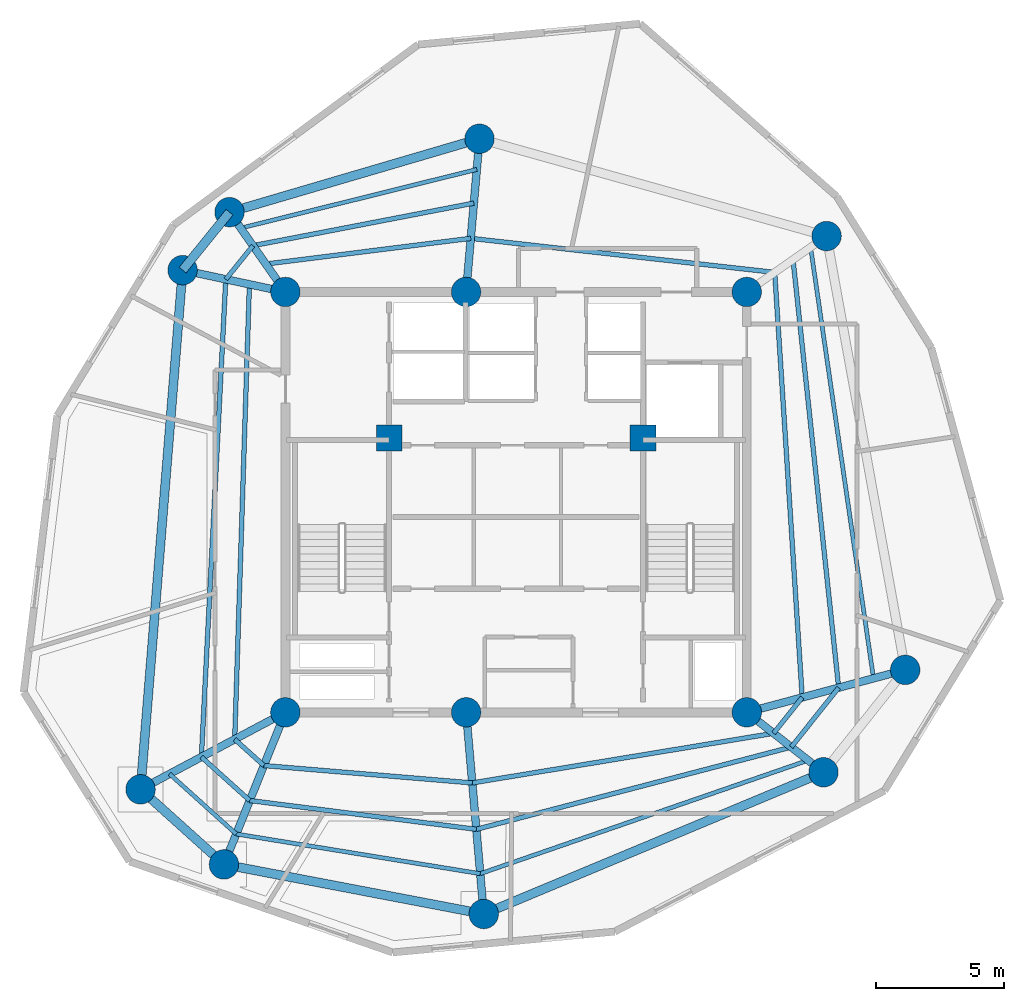
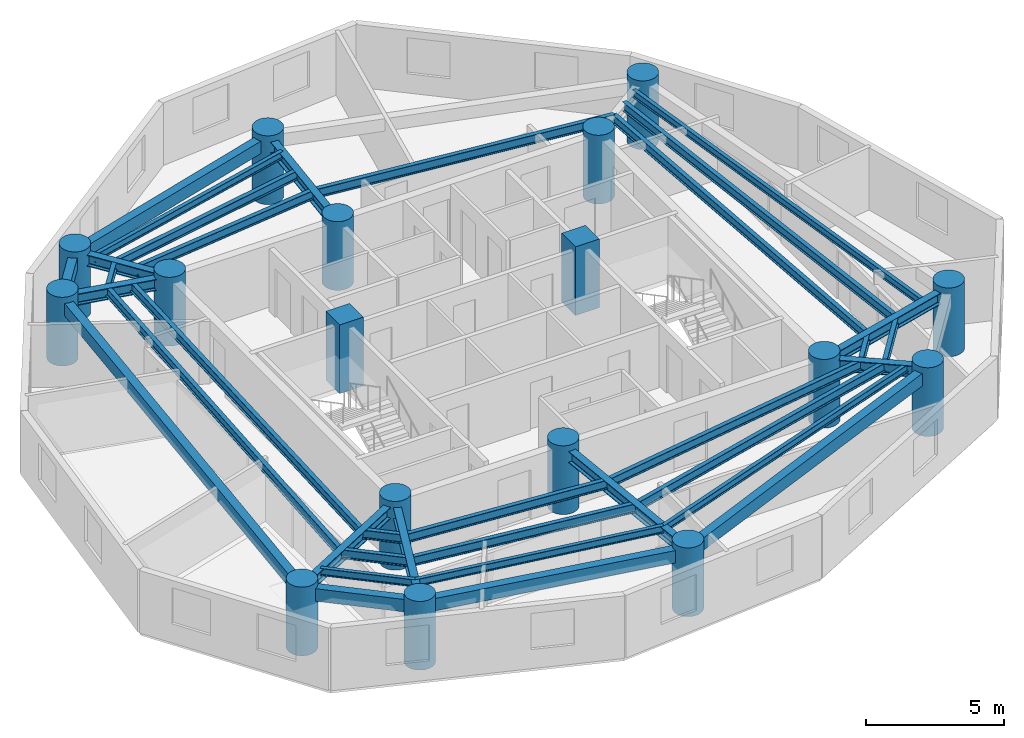
# One storey, part 1 of 6: 35 beams, 17 columns.
"""IFC4 building model written with IfcOpenShell, lengths in metres."""

from ifc_helpers import new_model, si_unit, direction, frame, origin, origin_with_axes, origin_2d, place, context, subcontext, project, spatial, rectangle, circle, i_section, extrude, source, transform, mapped, material, material_profile, profile_set, type_object, element, save


model = new_model("IFC4")

# Units and contexts
model_context = context("Model", 3, precision=1e-05, world=origin(), true_north=direction((0.0, 1.0)))
body_context = subcontext(model_context, "Body", "Model", "MODEL_VIEW")
ifc_project = project(units=[si_unit("LENGTHUNIT", "METRE"), si_unit("AREAUNIT", "SQUARE_METRE"), si_unit("VOLUMEUNIT", "CUBIC_METRE"), si_unit("PLANEANGLEUNIT", "RADIAN"), si_unit("MASSUNIT", "GRAM", prefix="KILO")], contexts=[model_context])

# Site, building, storey
site_placement = place(None, origin())
site = spatial("IfcSite", under=ifc_project, at=site_placement, CompositionType="ELEMENT")
building_placement = place(site_placement, origin())
building = spatial("IfcBuilding", under=site, at=building_placement, Name="Karkom Vertical University and Central Library", CompositionType="ELEMENT")
storey_placement = place(building_placement, frame((0.0, 0.0, 265.699951171875)))
storey = spatial("IfcBuildingStorey", under=building, at=storey_placement, Name="L79", CompositionType="ELEMENT", Elevation=265.699951171875)

# Columns
ifc_material_1 = material(Name="Concrete C50/60", Category="concrete")
ifc_material_profile_1 = material_profile(ifc_material_1, rectangle(XDim=1.0, YDim=1.0, at=origin_2d()), Name="RC-1000x1000")
ifc_profile_set_1 = profile_set([ifc_material_profile_1], Name="Concrete C50/60")
column_type_1 = type_object("IfcColumnType", Name="STR-COL-C-CC2", PredefinedType="COLUMN", material=ifc_profile_set_1)
shared_shape_1 = source(origin_with_axes(), body_context, "Body", "SweptSolid", [
    extrude(rectangle(XDim=1.0, YDim=1.0, at=origin_2d()), origin(), (0.0, 0.0, 1.0), 3.050048828125),
])
for number, where, z_axis, x_axis, name in (
    (1, (23.550048828125, 29.0, 0.0), (0.0, 0.0, 1.0), (1.0, 0.0, 0.0), "Level 79 Core Node Column CC-1"),
    (2, (33.449951171875, 29.0, 0.0), (0.0, 0.0, 1.0), (1.0, 0.0, 0.0), "Level 79 Core Node Column CC-2"),
):
    element("IfcColumn", number, at=place(storey_placement, frame(where, z_axis=z_axis, x_axis=x_axis)), inside=storey, type_object=column_type_1, Name=name, PredefinedType="COLUMN", context=body_context, shape_type="MappedRepresentation", body=[
        mapped(shared_shape_1, transform((0.0, 0.0, 0.0), scale=1.0)),
    ])
ifc_material_2 = material(Name="Concrete C45/55", Category="concrete")
ifc_material_profile_2 = material_profile(ifc_material_2, circle(Radius=0.574951171875, at=origin_2d()), Name="CFT-D1150")
ifc_profile_set_2 = profile_set([ifc_material_profile_2], Name="Concrete C45/55")
column_type_2 = type_object("IfcColumnType", Name="STR-COL-C-SC5", PredefinedType="COLUMN", material=ifc_profile_set_2)
shared_shape_2 = source(origin_with_axes(), body_context, "Body", "SweptSolid", [
    extrude(circle(Radius=0.574951171875, at=origin_2d()), origin(), (0.0, 0.0, 1.0), 3.050048828125),
])
for number, where, z_axis, x_axis, name in (
    (3, (19.5, 18.300048828125, 0.0), (0.0, 0.0, 1.0), (1.0, 0.0, 0.0), "Level 79 Spine Mega-Column SC-1"),
    (4, (26.550048828125, 18.300048828125, 0.0), (0.0, 0.0, 1.0), (1.0, 0.0, 0.0), "Level 79 Spine Mega-Column SC-2"),
    (5, (37.5, 18.300048828125, 0.0), (0.0, 0.0, 1.0), (1.0, 0.0, 0.0), "Level 79 Spine Mega-Column SC-3"),
    (6, (19.5, 34.699951171875, 0.0), (0.0, 0.0, 1.0), (1.0, 0.0, 0.0), "Level 79 Spine Mega-Column SC-4"),
    (7, (26.550048828125, 34.699951171875, 0.0), (0.0, 0.0, 1.0), (1.0, 0.0, 0.0), "Level 79 Spine Mega-Column SC-5"),
    (8, (37.5, 34.699951171875, 0.0), (0.0, 0.0, 1.0), (1.0, 0.0, 0.0), "Level 79 Spine Mega-Column SC-6"),
    (9, (43.681884765625, 19.9560546875, 0.0), (0.0, 0.0, 1.0), (1.0, 0.0, 0.0), "Level 79 Perimeter Mega-Column Z4-PC1"),
    (10, (40.613037109375, 36.8798828125, 0.0), (0.0, 0.0, 1.0), (1.0, 0.0, 0.0), "Level 79 Perimeter Mega-Column Z4-PC2"),
    (11, (27.072998046875, 40.677001953125, 0.0), (0.0, 0.0, 1.0), (1.0, 0.0, 0.0), "Level 79 Perimeter Mega-Column Z4-PC3"),
    (12, (17.320068359375, 37.81298828125, 0.0), (0.0, 0.0, 1.0), (1.0, 0.0, 0.0), "Level 79 Perimeter Mega-Column Z4-PC4"),
    (13, (15.489990234375, 35.552001953125, 0.0), (0.0, 0.0, 1.0), (1.0, 0.0, 0.0), "Level 79 Perimeter Mega-Column Z4-PC5"),
    (14, (13.84912109375, 15.294921875, 0.0), (0.0, 0.0, 1.0), (1.0, 0.0, 0.0), "Level 79 Perimeter Mega-Column Z4-PC6"),
    (15, (17.10302734375, 12.365966796875, 0.0), (0.0, 0.0, 1.0), (1.0, 0.0, 0.0), "Level 79 Perimeter Mega-Column Z4-PC7"),
    (16, (27.239013671875, 10.429931640625, 0.0), (0.0, 0.0, 1.0), (1.0, 0.0, 0.0), "Level 79 Perimeter Mega-Column Z4-PC8"),
    (17, (40.493896484375, 15.9599609375, 0.0), (0.0, 0.0, 1.0), (1.0, 0.0, 0.0), "Level 79 Perimeter Mega-Column Z4-PC9"),
):
    element("IfcColumn", number, at=place(storey_placement, frame(where, z_axis=z_axis, x_axis=x_axis)), inside=storey, type_object=column_type_2, Name=name, PredefinedType="COLUMN", context=body_context, shape_type="MappedRepresentation", body=[
        mapped(shared_shape_2, transform((0.0, 0.0, 0.0), scale=1.0)),
    ])

# Beams
ifc_material_3 = material(Name="Precast concrete C45/55", Category="concrete")
ifc_material_profile_3 = material_profile(ifc_material_3, rectangle(XDim=0.35009765625, YDim=0.550048828125, at=origin_2d()), Name="SPB-350x550")
ifc_profile_set_3 = profile_set([ifc_material_profile_3], Name="Precast concrete C45/55")
beam_type_1 = type_object("IfcBeamType", Name="STR-BM-SP-2", PredefinedType="SPANDREL", material=ifc_profile_set_3)
shared_shape_3 = source(origin_with_axes(), body_context, "Body", "SweptSolid", [
    extrude(rectangle(XDim=0.35009765625, YDim=0.550048828125, at=origin_2d()), origin(), (0.0, 0.0, 1.0), 10.164794921875),
])
beam_1_placement = place(storey_placement, frame((27.072998046875, 40.677001953125, 2.5), z_axis=(-0.959485124536, -0.281759286971, 0.0), x_axis=(0.281759286971, -0.959485124536, 0.0)))
element("IfcBeam", 18, at=beam_1_placement, inside=storey, type_object=beam_type_1, Name="Level 79 Perimeter Spandrel Beam 03", PredefinedType="SPANDREL", context=body_context, shape_type="MappedRepresentation", body=[
    mapped(shared_shape_3, transform((0.0, 0.0, 0.0), scale=1.0)),
])
shared_shape_4 = source(origin_with_axes(), body_context, "Body", "SweptSolid", [
    extrude(rectangle(XDim=0.35009765625, YDim=0.550048828125, at=origin_2d()), origin(), (0.0, 0.0, 1.0), 2.908935546875),
])
beam_2_placement = place(storey_placement, frame((17.320068359375, 37.81298828125, 2.5), z_axis=(-0.629147523747, -0.777285914811, 0.0), x_axis=(0.777285914811, -0.629147523747, 0.0)))
element("IfcBeam", 19, at=beam_2_placement, inside=storey, type_object=beam_type_1, Name="Level 79 Perimeter Spandrel Beam 04", PredefinedType="SPANDREL", context=body_context, shape_type="MappedRepresentation", body=[
    mapped(shared_shape_4, transform((0.0, 0.0, 0.0), scale=1.0)),
])
shared_shape_5 = source(origin_with_axes(), body_context, "Body", "SweptSolid", [
    extrude(rectangle(XDim=0.35009765625, YDim=0.550048828125, at=origin_2d()), origin(), (0.0, 0.0, 1.0), 20.323486328125),
])
beam_3_placement = place(storey_placement, frame((15.489990234375, 35.552001953125, 2.5), z_axis=(-0.080737811681, -0.996735373991, 0.0), x_axis=(0.996735373991, -0.080737811681, 0.0)))
element("IfcBeam", 20, at=beam_3_placement, inside=storey, type_object=beam_type_1, Name="Level 79 Perimeter Spandrel Beam 05", PredefinedType="SPANDREL", context=body_context, shape_type="MappedRepresentation", body=[
    mapped(shared_shape_5, transform((0.0, 0.0, 0.0), scale=1.0)),
])
shared_shape_6 = source(origin_with_axes(), body_context, "Body", "SweptSolid", [
    extrude(rectangle(XDim=0.35009765625, YDim=0.550048828125, at=origin_2d()), origin(), (0.0, 0.0, 1.0), 4.3779296875),
])
beam_4_placement = place(storey_placement, frame((13.84912109375, 15.294921875, 2.5), z_axis=(0.743244232405, -0.669020187287, 0.0), x_axis=(0.669020187287, 0.743244232405, 0.0)))
element("IfcBeam", 21, at=beam_4_placement, inside=storey, type_object=beam_type_1, Name="Level 79 Perimeter Spandrel Beam 06", PredefinedType="SPANDREL", context=body_context, shape_type="MappedRepresentation", body=[
    mapped(shared_shape_6, transform((0.0, 0.0, 0.0), scale=1.0)),
])
shared_shape_7 = source(origin_with_axes(), body_context, "Body", "SweptSolid", [
    extrude(rectangle(XDim=0.35009765625, YDim=0.550048828125, at=origin_2d()), origin(), (0.0, 0.0, 1.0), 10.3193359375),
])
beam_5_placement = place(storey_placement, frame((17.10302734375, 12.365966796875, 2.5), z_axis=(0.982242767385, -0.187614354249, 0.0), x_axis=(0.187614354249, 0.982242767385, 0.0)))
element("IfcBeam", 22, at=beam_5_placement, inside=storey, type_object=beam_type_1, Name="Level 79 Perimeter Spandrel Beam 07", PredefinedType="SPANDREL", context=body_context, shape_type="MappedRepresentation", body=[
    mapped(shared_shape_7, transform((0.0, 0.0, 0.0), scale=1.0)),
])
shared_shape_8 = source(origin_with_axes(), body_context, "Body", "SweptSolid", [
    extrude(rectangle(XDim=0.35009765625, YDim=0.550048828125, at=origin_2d()), origin(), (0.0, 0.0, 1.0), 14.3623046875),
])
beam_6_placement = place(storey_placement, frame((27.239013671875, 10.429931640625, 2.5), z_axis=(0.922899796194, 0.385040213725, 0.0), x_axis=(-0.385040213725, 0.922899796194, 0.0)))
element("IfcBeam", 23, at=beam_6_placement, inside=storey, type_object=beam_type_1, Name="Level 79 Perimeter Spandrel Beam 08", PredefinedType="SPANDREL", context=body_context, shape_type="MappedRepresentation", body=[
    mapped(shared_shape_8, transform((0.0, 0.0, 0.0), scale=1.0)),
])
ifc_material_4 = material(Name="Steel S355", Category="steel")
ifc_material_profile_4 = material_profile(ifc_material_4, i_section(OverallWidth=0.179931640625, OverallDepth=0.39990234375, WebThickness=0.008544921875, FlangeThickness=0.013427734375, FilletRadius=0.02099609375, at=origin_2d()), Name="IPE 400")
ifc_profile_set_4 = profile_set([ifc_material_profile_4], Name="Steel S355")
beam_type_2 = type_object("IfcBeamType", Name="STR-BM-SB-IPE400", PredefinedType="BEAM", material=ifc_profile_set_4)
shared_shape_9 = source(origin_with_axes(), body_context, "Body", "SweptSolid", [
    extrude(i_section(OverallWidth=0.179931640625, OverallDepth=0.39990234375, WebThickness=0.008544921875, FlangeThickness=0.013427734375, FilletRadius=0.02099609375, at=origin_2d()), origin(), (0.0, 0.0, 1.0), 16.617919921875),
])
beam_7_placement = place(storey_placement, frame((39.663818359375, 18.879638671875, 2.574951171875), z_axis=(-0.064641848008, 0.997908528617, 0.0), x_axis=(-0.997908528617, -0.064641848008, 0.0)))
element("IfcBeam", 24, at=beam_7_placement, inside=storey, type_object=beam_type_2, Name="Level 79 Secondary Composite Floor Beam 1.01", PredefinedType="BEAM", context=body_context, shape_type="MappedRepresentation", body=[
    mapped(shared_shape_9, transform((0.0, 0.0, 0.0), scale=1.0)),
])
shared_shape_10 = source(origin_with_axes(), body_context, "Body", "SweptSolid", [
    extrude(i_section(OverallWidth=0.179931640625, OverallDepth=0.39990234375, WebThickness=0.008544921875, FlangeThickness=0.013427734375, FilletRadius=0.02099609375, at=origin_2d()), origin(), (0.0, 0.0, 1.0), 11.9306640625),
])
beam_8_placement = place(storey_placement, frame((38.589599609375, 35.462890625, 2.574951171875), z_axis=(-0.993775454886, 0.11140172919, 0.0), x_axis=(-0.11140172919, -0.993775454886, 0.0)))
element("IfcBeam", 25, at=beam_8_placement, inside=storey, type_object=beam_type_2, Name="Level 79 Secondary Composite Floor Beam 1.02", PredefinedType="BEAM", context=body_context, shape_type="MappedRepresentation", body=[
    mapped(shared_shape_10, transform((0.0, 0.0, 0.0), scale=1.0)),
])
shared_shape_11 = source(origin_with_axes(), body_context, "Body", "SweptSolid", [
    extrude(i_section(OverallWidth=0.179931640625, OverallDepth=0.39990234375, WebThickness=0.008544921875, FlangeThickness=0.013427734375, FilletRadius=0.02099609375, at=origin_2d()), origin(), (0.0, 0.0, 1.0), 8.05859375),
])
beam_9_placement = place(storey_placement, frame((26.733154296875, 36.7919921875, 2.574951171875), z_axis=(-0.99223306826, -0.124392677646, 0.0), x_axis=(0.124392677646, -0.99223306826, 0.0)))
element("IfcBeam", 26, at=beam_9_placement, inside=storey, type_object=beam_type_2, Name="Level 79 Secondary Composite Floor Beam 1.03", PredefinedType="BEAM", context=body_context, shape_type="MappedRepresentation", body=[
    mapped(shared_shape_11, transform((0.0, 0.0, 0.0), scale=1.0)),
])
shared_shape_12 = source(origin_with_axes(), body_context, "Body", "SweptSolid", [
    extrude(i_section(OverallWidth=0.179931640625, OverallDepth=0.39990234375, WebThickness=0.008544921875, FlangeThickness=0.013427734375, FilletRadius=0.02099609375, at=origin_2d()), origin(), (0.0, 0.0, 1.0), 17.75927734375),
])
beam_10_placement = place(storey_placement, frame((18.096435546875, 34.998291015625, 2.574951171875), z_axis=(-0.032333437334, -0.999477137723, 0.0), x_axis=(0.999477137723, -0.032333437334, 0.0)))
element("IfcBeam", 27, at=beam_10_placement, inside=storey, type_object=beam_type_2, Name="Level 79 Secondary Composite Floor Beam 1.05", PredefinedType="BEAM", context=body_context, shape_type="MappedRepresentation", body=[
    mapped(shared_shape_12, transform((0.0, 0.0, 0.0), scale=1.0)),
])
shared_shape_13 = source(origin_with_axes(), body_context, "Body", "SweptSolid", [
    extrude(i_section(OverallWidth=0.179931640625, OverallDepth=0.39990234375, WebThickness=0.008544921875, FlangeThickness=0.013427734375, FilletRadius=0.02099609375, at=origin_2d()), origin(), (0.0, 0.0, 1.0), 1.5322265625),
])
beam_11_placement = place(storey_placement, frame((17.522216796875, 17.248291015625, 2.574951171875), z_axis=(0.743183211059, -0.669087972392, 0.0), x_axis=(0.669087972392, 0.743183211059, 0.0)))
element("IfcBeam", 28, at=beam_11_placement, inside=storey, type_object=beam_type_2, Name="Level 79 Secondary Composite Floor Beam 1.06", PredefinedType="BEAM", context=body_context, shape_type="MappedRepresentation", body=[
    mapped(shared_shape_13, transform((0.0, 0.0, 0.0), scale=1.0)),
])
shared_shape_14 = source(origin_with_axes(), body_context, "Body", "SweptSolid", [
    extrude(i_section(OverallWidth=0.179931640625, OverallDepth=0.39990234375, WebThickness=0.008544921875, FlangeThickness=0.013427734375, FilletRadius=0.02099609375, at=origin_2d()), origin(), (0.0, 0.0, 1.0), 8.15869140625),
])
beam_12_placement = place(storey_placement, frame((18.660888671875, 16.22314453125, 2.574951171875), z_axis=(0.996543694183, -0.083070244882, 0.0), x_axis=(0.083070244882, 0.996543694183, 0.0)))
element("IfcBeam", 29, at=beam_12_placement, inside=storey, type_object=beam_type_2, Name="Level 79 Secondary Composite Floor Beam 1.07", PredefinedType="BEAM", context=body_context, shape_type="MappedRepresentation", body=[
    mapped(shared_shape_14, transform((0.0, 0.0, 0.0), scale=1.0)),
])
shared_shape_15 = source(origin_with_axes(), body_context, "Body", "SweptSolid", [
    extrude(i_section(OverallWidth=0.179931640625, OverallDepth=0.39990234375, WebThickness=0.008544921875, FlangeThickness=0.013427734375, FilletRadius=0.02099609375, at=origin_2d()), origin(), (0.0, 0.0, 1.0), 11.914794921875),
])
beam_13_placement = place(storey_placement, frame((26.791259765625, 15.54541015625, 2.574951171875), z_axis=(0.986717073469, 0.162448197663, 0.0), x_axis=(-0.162448197663, 0.986717073469, 0.0)))
element("IfcBeam", 30, at=beam_13_placement, inside=storey, type_object=beam_type_2, Name="Level 79 Secondary Composite Floor Beam 1.08", PredefinedType="BEAM", context=body_context, shape_type="MappedRepresentation", body=[
    mapped(shared_shape_15, transform((0.0, 0.0, 0.0), scale=1.0)),
])
shared_shape_16 = source(origin_with_axes(), body_context, "Body", "SweptSolid", [
    extrude(i_section(OverallWidth=0.179931640625, OverallDepth=0.39990234375, WebThickness=0.008544921875, FlangeThickness=0.013427734375, FilletRadius=0.02099609375, at=origin_2d()), origin(), (0.0, 0.0, 1.0), 1.789306640625),
])
beam_14_placement = place(storey_placement, frame((38.5478515625, 17.48095703125, 2.574951171875), z_axis=(0.623679519349, 0.781680150154, 0.0), x_axis=(-0.781680150154, 0.623679519349, 0.0)))
element("IfcBeam", 31, at=beam_14_placement, inside=storey, type_object=beam_type_2, Name="Level 79 Secondary Composite Floor Beam 1.09", PredefinedType="BEAM", context=body_context, shape_type="MappedRepresentation", body=[
    mapped(shared_shape_16, transform((0.0, 0.0, 0.0), scale=1.0)),
])
shared_shape_17 = source(origin_with_axes(), body_context, "Body", "SweptSolid", [
    extrude(i_section(OverallWidth=0.179931640625, OverallDepth=0.39990234375, WebThickness=0.008544921875, FlangeThickness=0.013427734375, FilletRadius=0.02099609375, at=origin_2d()), origin(), (0.0, 0.0, 1.0), 16.79833984375),
])
beam_15_placement = place(storey_placement, frame((41.085693359375, 19.260498046875, 2.574951171875), z_axis=(-0.105978377704, 0.994368434464, 0.0), x_axis=(-0.994368434464, -0.105978377704, 0.0)))
element("IfcBeam", 32, at=beam_15_placement, inside=storey, type_object=beam_type_2, Name="Level 79 Secondary Composite Floor Beam 2.01", PredefinedType="BEAM", context=body_context, shape_type="MappedRepresentation", body=[
    mapped(shared_shape_17, transform((0.0, 0.0, 0.0), scale=1.0)),
])
shared_shape_18 = source(origin_with_axes(), body_context, "Body", "SweptSolid", [
    extrude(i_section(OverallWidth=0.179931640625, OverallDepth=0.39990234375, WebThickness=0.008544921875, FlangeThickness=0.013427734375, FilletRadius=0.02099609375, at=origin_2d()), origin(), (0.0, 0.0, 1.0), 8.7763671875),
])
beam_16_placement = place(storey_placement, frame((26.853271484375, 38.166748046875, 2.574951171875), z_axis=(-0.981924209256, -0.189274528862, 0.0), x_axis=(0.189274528862, -0.981924209256, 0.0)))
element("IfcBeam", 33, at=beam_16_placement, inside=storey, type_object=beam_type_2, Name="Level 79 Secondary Composite Floor Beam 2.03", PredefinedType="BEAM", context=body_context, shape_type="MappedRepresentation", body=[
    mapped(shared_shape_18, transform((0.0, 0.0, 0.0), scale=1.0)),
])
shared_shape_19 = source(origin_with_axes(), body_context, "Body", "SweptSolid", [
    extrude(i_section(OverallWidth=0.179931640625, OverallDepth=0.39990234375, WebThickness=0.008544921875, FlangeThickness=0.013427734375, FilletRadius=0.02099609375, at=origin_2d()), origin(), (0.0, 0.0, 1.0), 1.68701171875),
])
beam_17_placement = place(storey_placement, frame((18.235595703125, 36.505615234375, 2.574951171875), z_axis=(-0.629044191861, -0.777369541908, 0.0), x_axis=(0.777369541908, -0.629044191861, 0.0)))
element("IfcBeam", 34, at=beam_17_placement, inside=storey, type_object=beam_type_2, Name="Level 79 Secondary Composite Floor Beam 2.04", PredefinedType="BEAM", context=body_context, shape_type="MappedRepresentation", body=[
    mapped(shared_shape_19, transform((0.0, 0.0, 0.0), scale=1.0)),
])
shared_shape_20 = source(origin_with_axes(), body_context, "Body", "SweptSolid", [
    extrude(i_section(OverallWidth=0.179931640625, OverallDepth=0.39990234375, WebThickness=0.008544921875, FlangeThickness=0.013427734375, FilletRadius=0.02099609375, at=origin_2d()), origin(), (0.0, 0.0, 1.0), 18.661376953125),
])
beam_18_placement = place(storey_placement, frame((17.17431640625, 35.194091796875, 2.574951171875), z_axis=(-0.051009656211, -0.998698160093, 0.0), x_axis=(0.998698160093, -0.051009656211, 0.0)))
element("IfcBeam", 35, at=beam_18_placement, inside=storey, type_object=beam_type_2, Name="Level 79 Secondary Composite Floor Beam 2.05", PredefinedType="BEAM", context=body_context, shape_type="MappedRepresentation", body=[
    mapped(shared_shape_20, transform((0.0, 0.0, 0.0), scale=1.0)),
])
shared_shape_21 = source(origin_with_axes(), body_context, "Body", "SweptSolid", [
    extrude(i_section(OverallWidth=0.179931640625, OverallDepth=0.39990234375, WebThickness=0.008544921875, FlangeThickness=0.013427734375, FilletRadius=0.02099609375, at=origin_2d()), origin(), (0.0, 0.0, 1.0), 2.5390625),
])
beam_19_placement = place(storey_placement, frame((16.222412109375, 16.55712890625, 2.574951171875), z_axis=(0.743246334517, -0.669017851949, 0.0), x_axis=(0.669017851949, 0.743246334517, 0.0)))
element("IfcBeam", 36, at=beam_19_placement, inside=storey, type_object=beam_type_2, Name="Level 79 Secondary Composite Floor Beam 2.06", PredefinedType="BEAM", context=body_context, shape_type="MappedRepresentation", body=[
    mapped(shared_shape_21, transform((0.0, 0.0, 0.0), scale=1.0)),
])
shared_shape_22 = source(origin_with_axes(), body_context, "Body", "SweptSolid", [
    extrude(i_section(OverallWidth=0.179931640625, OverallDepth=0.39990234375, WebThickness=0.008544921875, FlangeThickness=0.013427734375, FilletRadius=0.02099609375, at=origin_2d()), origin(), (0.0, 0.0, 1.0), 8.9111328125),
])
beam_20_placement = place(storey_placement, frame((18.109619140625, 14.8583984375, 2.574951171875), z_axis=(0.992026771403, -0.126027317751, 0.0), x_axis=(0.126027317751, 0.992026771403, 0.0)))
element("IfcBeam", 37, at=beam_20_placement, inside=storey, type_object=beam_type_2, Name="Level 79 Secondary Composite Floor Beam 2.07", PredefinedType="BEAM", context=body_context, shape_type="MappedRepresentation", body=[
    mapped(shared_shape_22, transform((0.0, 0.0, 0.0), scale=1.0)),
])
shared_shape_23 = source(origin_with_axes(), body_context, "Body", "SweptSolid", [
    extrude(i_section(OverallWidth=0.179931640625, OverallDepth=0.39990234375, WebThickness=0.008544921875, FlangeThickness=0.013427734375, FilletRadius=0.02099609375, at=origin_2d()), origin(), (0.0, 0.0, 1.0), 12.69873046875),
])
beam_21_placement = place(storey_placement, frame((26.94970703125, 13.7353515625, 2.574951171875), z_axis=(0.967573974729, 0.252587813301, 0.0), x_axis=(-0.252587813301, 0.967573974729, 0.0)))
element("IfcBeam", 38, at=beam_21_placement, inside=storey, type_object=beam_type_2, Name="Level 79 Secondary Composite Floor Beam 2.08", PredefinedType="BEAM", context=body_context, shape_type="MappedRepresentation", body=[
    mapped(shared_shape_23, transform((0.0, 0.0, 0.0), scale=1.0)),
])
shared_shape_24 = source(origin_with_axes(), body_context, "Body", "SweptSolid", [
    extrude(i_section(OverallWidth=0.179931640625, OverallDepth=0.39990234375, WebThickness=0.008544921875, FlangeThickness=0.013427734375, FilletRadius=0.02099609375, at=origin_2d()), origin(), (0.0, 0.0, 1.0), 2.96484375),
])
beam_22_placement = place(storey_placement, frame((39.236572265625, 16.94287109375, 2.574951171875), z_axis=(0.623670236397, 0.781687556657, 0.0), x_axis=(-0.781687556657, 0.623670236397, 0.0)))
element("IfcBeam", 39, at=beam_22_placement, inside=storey, type_object=beam_type_2, Name="Level 79 Secondary Composite Floor Beam 2.09", PredefinedType="BEAM", context=body_context, shape_type="MappedRepresentation", body=[
    mapped(shared_shape_24, transform((0.0, 0.0, 0.0), scale=1.0)),
])
ifc_material_profile_5 = material_profile(ifc_material_4, i_section(OverallWidth=0.159912109375, OverallDepth=0.330078125, WebThickness=0.007568359375, FlangeThickness=0.011474609375, FilletRadius=0.01806640625, at=origin_2d()), Name="IPE 330")
ifc_profile_set_5 = profile_set([ifc_material_profile_5], Name="Steel S355")
beam_type_3 = type_object("IfcBeamType", Name="STR-BM-SB-IPE330", PredefinedType="BEAM", material=ifc_profile_set_5)
shared_shape_25 = source(origin_with_axes(), body_context, "Body", "SweptSolid", [
    extrude(i_section(OverallWidth=0.159912109375, OverallDepth=0.330078125, WebThickness=0.007568359375, FlangeThickness=0.011474609375, FilletRadius=0.01806640625, at=origin_2d()), origin(), (0.0, 0.0, 1.0), 16.99755859375),
])
beam_23_placement = place(storey_placement, frame((42.445556640625, 19.624755859375, 2.610107421875), z_axis=(-0.144436985275, 0.98951400055, 0.0), x_axis=(-0.98951400055, -0.144436985275, 0.0)))
element("IfcBeam", 40, at=beam_23_placement, inside=storey, type_object=beam_type_3, Name="Level 79 Secondary Composite Floor Beam 3.01", PredefinedType="BEAM", context=body_context, shape_type="MappedRepresentation", body=[
    mapped(shared_shape_25, transform((0.0, 0.0, 0.0), scale=1.0)),
])
shared_shape_26 = source(origin_with_axes(), body_context, "Body", "SweptSolid", [
    extrude(i_section(OverallWidth=0.159912109375, OverallDepth=0.330078125, WebThickness=0.007568359375, FlangeThickness=0.011474609375, FilletRadius=0.01806640625, at=origin_2d()), origin(), (0.0, 0.0, 1.0), 9.4931640625),
])
beam_24_placement = place(storey_placement, frame((26.968505859375, 39.481689453125, 2.610107421875), z_axis=(-0.970435275293, -0.241361505767, 0.0), x_axis=(0.241361505767, -0.970435275293, 0.0)))
element("IfcBeam", 41, at=beam_24_placement, inside=storey, type_object=beam_type_3, Name="Level 79 Secondary Composite Floor Beam 3.03", PredefinedType="BEAM", context=body_context, shape_type="MappedRepresentation", body=[
    mapped(shared_shape_26, transform((0.0, 0.0, 0.0), scale=1.0)),
])
shared_shape_27 = source(origin_with_axes(), body_context, "Body", "SweptSolid", [
    extrude(i_section(OverallWidth=0.159912109375, OverallDepth=0.330078125, WebThickness=0.007568359375, FlangeThickness=0.011474609375, FilletRadius=0.01806640625, at=origin_2d()), origin(), (0.0, 0.0, 1.0), 3.50244140625),
])
beam_25_placement = place(storey_placement, frame((14.979248046875, 15.89599609375, 2.610107421875), z_axis=(0.743249087562, -0.669014793437, 0.0), x_axis=(0.669014793437, 0.743249087562, 0.0)))
element("IfcBeam", 42, at=beam_25_placement, inside=storey, type_object=beam_type_3, Name="Level 79 Secondary Composite Floor Beam 3.06", PredefinedType="BEAM", context=body_context, shape_type="MappedRepresentation", body=[
    mapped(shared_shape_27, transform((0.0, 0.0, 0.0), scale=1.0)),
])
shared_shape_28 = source(origin_with_axes(), body_context, "Body", "SweptSolid", [
    extrude(i_section(OverallWidth=0.159912109375, OverallDepth=0.330078125, WebThickness=0.007568359375, FlangeThickness=0.011474609375, FilletRadius=0.01806640625, at=origin_2d()), origin(), (0.0, 0.0, 1.0), 9.64404296875),
])
beam_26_placement = place(storey_placement, frame((17.58251953125, 13.552734375, 2.610107421875), z_axis=(0.987019497924, -0.160600469231, 0.0), x_axis=(0.160600469231, 0.987019497924, 0.0)))
element("IfcBeam", 43, at=beam_26_placement, inside=storey, type_object=beam_type_3, Name="Level 79 Secondary Composite Floor Beam 3.07", PredefinedType="BEAM", context=body_context, shape_type="MappedRepresentation", body=[
    mapped(shared_shape_28, transform((0.0, 0.0, 0.0), scale=1.0)),
])
shared_shape_29 = source(origin_with_axes(), body_context, "Body", "SweptSolid", [
    extrude(i_section(OverallWidth=0.159912109375, OverallDepth=0.330078125, WebThickness=0.007568359375, FlangeThickness=0.011474609375, FilletRadius=0.01806640625, at=origin_2d()), origin(), (0.0, 0.0, 1.0), 13.537353515625),
])
beam_27_placement = place(storey_placement, frame((27.101318359375, 12.00390625, 2.610107421875), z_axis=(0.945091088216, 0.32680703018, 0.0), x_axis=(-0.32680703018, 0.945091088216, 0.0)))
element("IfcBeam", 44, at=beam_27_placement, inside=storey, type_object=beam_type_3, Name="Level 79 Secondary Composite Floor Beam 3.08", PredefinedType="BEAM", context=body_context, shape_type="MappedRepresentation", body=[
    mapped(shared_shape_29, transform((0.0, 0.0, 0.0), scale=1.0)),
])
ifc_material_profile_6 = material_profile(ifc_material_4, i_section(OverallWidth=0.300048828125, OverallDepth=0.5, WebThickness=0.014404296875, FlangeThickness=0.028076171875, FilletRadius=0.027099609375, at=origin_2d()), Name="HE 500 B")
ifc_profile_set_6 = profile_set([ifc_material_profile_6], Name="Steel S355")
beam_type_4 = type_object("IfcBeamType", Name="STR-BM-SB-HE500", PredefinedType="USERDEFINED", material=ifc_profile_set_6)
shared_shape_30 = source(origin_with_axes(), body_context, "Body", "SweptSolid", [
    extrude(i_section(OverallWidth=0.300048828125, OverallDepth=0.5, WebThickness=0.014404296875, FlangeThickness=0.028076171875, FilletRadius=0.027099609375, at=origin_2d()), origin(), (0.0, 0.0, 1.0), 6.39990234375),
])
for number, where, z_axis, x_axis, name in (
    (45, (37.5, 18.300048828125, 2.525146484375), (0.965942432948, 0.258757060254, 0.0), (-0.258757060254, 0.965942432948, 0.0), "Level 79 Radial Frame Girder 01"),
    (46, (19.5, 18.300048828125, 2.525146484375), (-0.374532429749, -0.927213815183, 0.0), (0.927213815183, -0.374532429749, 0.0), "Level 79 Radial Frame Girder 07"),
):
    element("IfcBeam", number, at=place(storey_placement, frame(where, z_axis=z_axis, x_axis=x_axis)), inside=storey, type_object=beam_type_4, Name=name, ObjectType="GIRDER", PredefinedType="USERDEFINED", context=body_context, shape_type="MappedRepresentation", body=[
        mapped(shared_shape_30, transform((0.0, 0.0, 0.0), scale=1.0)),
    ])
shared_shape_31 = source(origin_with_axes(), body_context, "Body", "SweptSolid", [
    extrude(i_section(OverallWidth=0.300048828125, OverallDepth=0.5, WebThickness=0.014404296875, FlangeThickness=0.028076171875, FilletRadius=0.027099609375, at=origin_2d()), origin(), (0.0, 0.0, 1.0), 3.80029296875),
])
beam_28_placement = place(storey_placement, frame((19.5, 34.699951171875, 2.525146484375), z_axis=(-0.573604613627, 0.819132313625, 0.0), x_axis=(-0.819132313625, -0.573604613627, 0.0)))
element("IfcBeam", 47, at=beam_28_placement, inside=storey, type_object=beam_type_4, Name="Level 79 Radial Frame Girder 04", ObjectType="GIRDER", PredefinedType="USERDEFINED", context=body_context, shape_type="MappedRepresentation", body=[
    mapped(shared_shape_31, transform((0.0, 0.0, 0.0), scale=1.0)),
])
shared_shape_32 = source(origin_with_axes(), body_context, "Body", "SweptSolid", [
    extrude(i_section(OverallWidth=0.300048828125, OverallDepth=0.5, WebThickness=0.014404296875, FlangeThickness=0.028076171875, FilletRadius=0.027099609375, at=origin_2d()), origin(), (0.0, 0.0, 1.0), 6.0),
])
beam_29_placement = place(storey_placement, frame((26.550048828125, 34.699951171875, 2.525146484375), z_axis=(0.087159883478, 0.996194335816, 0.0), x_axis=(-0.996194335816, 0.087159883478, 0.0)))
element("IfcBeam", 48, at=beam_29_placement, inside=storey, type_object=beam_type_4, Name="Level 79 Radial Frame Girder 03", ObjectType="GIRDER", PredefinedType="USERDEFINED", context=body_context, shape_type="MappedRepresentation", body=[
    mapped(shared_shape_32, transform((0.0, 0.0, 0.0), scale=1.0)),
])
shared_shape_33 = source(origin_with_axes(), body_context, "Body", "SweptSolid", [
    extrude(i_section(OverallWidth=0.300048828125, OverallDepth=0.5, WebThickness=0.014404296875, FlangeThickness=0.028076171875, FilletRadius=0.027099609375, at=origin_2d()), origin(), (0.0, 0.0, 1.0), 4.099609375),
])
beam_30_placement = place(storey_placement, frame((19.5, 34.699951171875, 2.525146484375), z_axis=(-0.978162634602, 0.207840949453, 0.0), x_axis=(-0.207840949453, -0.978162634602, 0.0)))
element("IfcBeam", 49, at=beam_30_placement, inside=storey, type_object=beam_type_4, Name="Level 79 Radial Frame Girder 05", ObjectType="GIRDER", PredefinedType="USERDEFINED", context=body_context, shape_type="MappedRepresentation", body=[
    mapped(shared_shape_33, transform((0.0, 0.0, 0.0), scale=1.0)),
])
shared_shape_34 = source(origin_with_axes(), body_context, "Body", "SweptSolid", [
    extrude(i_section(OverallWidth=0.300048828125, OverallDepth=0.5, WebThickness=0.014404296875, FlangeThickness=0.028076171875, FilletRadius=0.027099609375, at=origin_2d()), origin(), (0.0, 0.0, 1.0), 6.400146484375),
])
beam_31_placement = place(storey_placement, frame((19.5, 18.300048828125, 2.525146484375), z_axis=(-0.882915120857, -0.469532628645, 0.0), x_axis=(0.469532628645, -0.882915120857, 0.0)))
element("IfcBeam", 50, at=beam_31_placement, inside=storey, type_object=beam_type_4, Name="Level 79 Radial Frame Girder 06", ObjectType="GIRDER", PredefinedType="USERDEFINED", context=body_context, shape_type="MappedRepresentation", body=[
    mapped(shared_shape_34, transform((0.0, 0.0, 0.0), scale=1.0)),
])
shared_shape_35 = source(origin_with_axes(), body_context, "Body", "SweptSolid", [
    extrude(i_section(OverallWidth=0.300048828125, OverallDepth=0.5, WebThickness=0.014404296875, FlangeThickness=0.028076171875, FilletRadius=0.027099609375, at=origin_2d()), origin(), (0.0, 0.0, 1.0), 7.900146484375),
])
beam_32_placement = place(storey_placement, frame((26.550048828125, 18.300048828125, 2.525146484375), z_axis=(0.087208352312, -0.996190093951, 0.0), x_axis=(0.996190093951, 0.087208352312, 0.0)))
element("IfcBeam", 51, at=beam_32_placement, inside=storey, type_object=beam_type_4, Name="Level 79 Radial Frame Girder 08", ObjectType="GIRDER", PredefinedType="USERDEFINED", context=body_context, shape_type="MappedRepresentation", body=[
    mapped(shared_shape_35, transform((0.0, 0.0, 0.0), scale=1.0)),
])
shared_shape_36 = source(origin_with_axes(), body_context, "Body", "SweptSolid", [
    extrude(i_section(OverallWidth=0.300048828125, OverallDepth=0.5, WebThickness=0.014404296875, FlangeThickness=0.028076171875, FilletRadius=0.027099609375, at=origin_2d()), origin(), (0.0, 0.0, 1.0), 3.7998046875),
])
beam_33_placement = place(storey_placement, frame((37.5, 18.300048828125, 2.525146484375), z_axis=(0.787883114707, -0.61582481077, 0.0), x_axis=(0.61582481077, 0.787883114707, 0.0)))
element("IfcBeam", 52, at=beam_33_placement, inside=storey, type_object=beam_type_4, Name="Level 79 Radial Frame Girder 09", ObjectType="GIRDER", PredefinedType="USERDEFINED", context=body_context, shape_type="MappedRepresentation", body=[
    mapped(shared_shape_36, transform((0.0, 0.0, 0.0), scale=1.0)),
])

save(model, "model.ifc")
